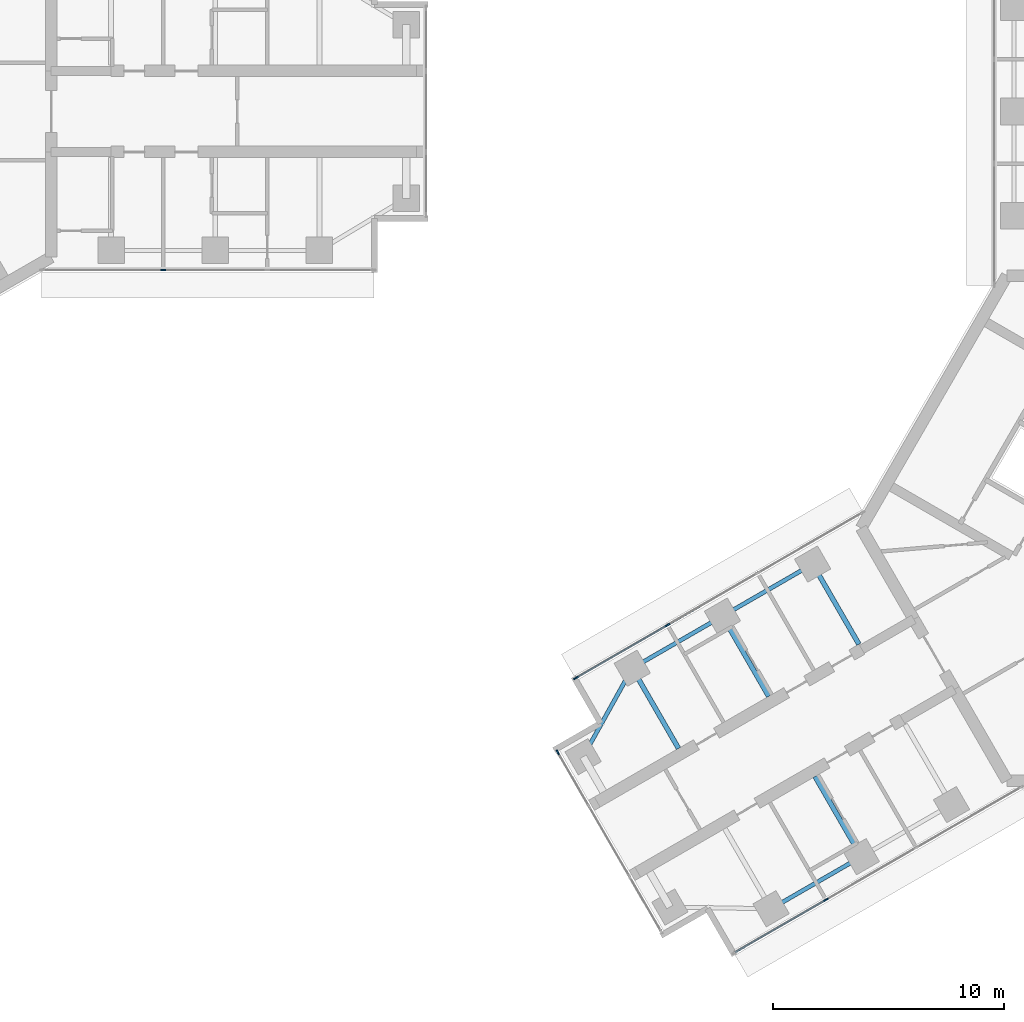
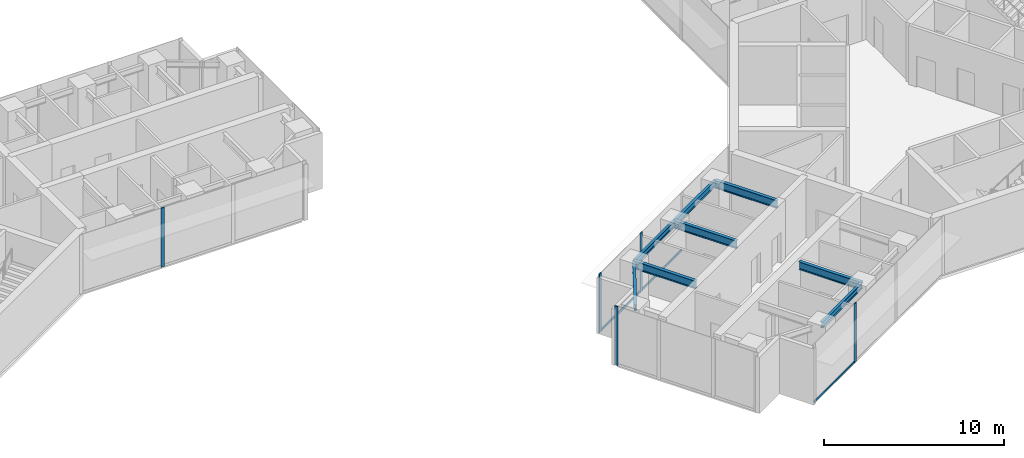
# One storey, part 3 of 17: 8 beams, 8 members, 4 elements without a shape of their own.
"""IFC4 building model written with IfcOpenShell, lengths in metres."""

from ifc_helpers import new_model, si_unit, direction, frame, origin, origin_2d, place, context, subcontext, project, spatial, rectangle, i_section, extrude, material, material_profile, profile_set, type_object, element, aggregate, save


model = new_model("IFC4")

# Units and contexts
model_context = context("Model", 3, precision=1e-05, world=origin(), true_north=direction((0.0, 1.0)))
body_context = subcontext(model_context, "Body", "Model", "MODEL_VIEW")
ifc_project = project(units=[si_unit("LENGTHUNIT", "METRE"), si_unit("AREAUNIT", "SQUARE_METRE"), si_unit("VOLUMEUNIT", "CUBIC_METRE"), si_unit("PLANEANGLEUNIT", "RADIAN"), si_unit("MASSUNIT", "GRAM", prefix="KILO")], contexts=[model_context])

# Site, building, storey
site_placement = place(None, origin())
site = spatial("IfcSite", under=ifc_project, at=site_placement, CompositionType="ELEMENT")
building_placement = place(site_placement, origin())
building = spatial("IfcBuilding", under=site, at=building_placement, Name="Upepo Twin Towers", CompositionType="ELEMENT")
storey_placement = place(building_placement, frame((0.0, 0.0, 210.5)))
storey = spatial("IfcBuildingStorey", under=building, at=storey_placement, Name="L51", CompositionType="ELEMENT", Elevation=210.5)

# Beams
ifc_material_1 = material(Name="Steel S355", Category="steel")
ifc_material_profile_1 = material_profile(ifc_material_1, i_section(OverallWidth=0.177978515625, OverallDepth=0.406494140625, WebThickness=0.0078125, FlangeThickness=0.0126953125, FilletRadius=0.01025390625, at=origin_2d()), Name="UB 406x178x60")
ifc_profile_set_1 = profile_set([ifc_material_profile_1], Name="Steel S355")
beam_type_1 = type_object("IfcBeamType", Name="Beam UB 406x178x60", PredefinedType="BEAM", material=ifc_profile_set_1)
beam_1_placement = place(storey_placement, frame((45.91162109375, -32.196044921875, 3.5966796875), z_axis=(-0.866031096941, -0.499990139034, 0.0), x_axis=(0.499990139034, -0.866031096941, 0.0)))
element("IfcBeam", 1, at=beam_1_placement, inside=storey, type_object=beam_type_1, Name="T2 edge beam BL 18.0-22.5", PredefinedType="BEAM", context=body_context, shape_type="SweptSolid", body=[
    extrude(i_section(OverallWidth=0.177978515625, OverallDepth=0.406494140625, WebThickness=0.0078125, FlangeThickness=0.0126953125, FilletRadius=0.01025390625, at=origin_2d()), origin(), (0.0, 0.0, 1.0), 4.5),
])
beam_2_placement = place(storey_placement, frame((43.80859375, -19.553955078125, 3.5966796875), z_axis=(-0.866017533419, -0.500013631625, 0.0), x_axis=(0.500013631625, -0.866017533419, 0.0)))
element("IfcBeam", 2, at=beam_2_placement, inside=storey, type_object=beam_type_1, Name="T2 edge beam BR 13.5-18.0", PredefinedType="BEAM", context=body_context, shape_type="SweptSolid", body=[
    extrude(i_section(OverallWidth=0.177978515625, OverallDepth=0.406494140625, WebThickness=0.0078125, FlangeThickness=0.0126953125, FilletRadius=0.01025390625, at=origin_2d()), origin(), (0.0, 0.0, 1.0), 4.499755859375),
])
beam_3_placement = place(storey_placement, frame((39.91162109375, -21.803955078125, 3.5966796875), z_axis=(-0.866031096941, -0.499990139034, 0.0), x_axis=(0.499990139034, -0.866031096941, 0.0)))
element("IfcBeam", 3, at=beam_3_placement, inside=storey, type_object=beam_type_1, Name="T2 edge beam BR 18.0-22.5", PredefinedType="BEAM", context=body_context, shape_type="SweptSolid", body=[
    extrude(i_section(OverallWidth=0.177978515625, OverallDepth=0.406494140625, WebThickness=0.0078125, FlangeThickness=0.0126953125, FilletRadius=0.01025390625, at=origin_2d()), origin(), (0.0, 0.0, 1.0), 4.5),
])
beam_4_placement = place(storey_placement, frame((36.014404296875, -24.053955078125, 3.5966796875), z_axis=(-0.485363242752, -0.874312600038, 0.0), x_axis=(0.874312600038, -0.485363242752, 0.0)))
element("IfcBeam", 4, at=beam_4_placement, inside=storey, type_object=beam_type_1, Name="T2 nose edge beam BR", PredefinedType="BEAM", context=body_context, shape_type="SweptSolid", body=[
    extrude(i_section(OverallWidth=0.177978515625, OverallDepth=0.406494140625, WebThickness=0.0078125, FlangeThickness=0.0126953125, FilletRadius=0.01025390625, at=origin_2d()), origin(), (0.0, 0.0, 1.0), 4.373046875),
])
ifc_material_2 = material(Name="Steel S355", Category="steel")
ifc_material_profile_2 = material_profile(ifc_material_2, i_section(OverallWidth=0.209228515625, OverallDepth=0.533203125, WebThickness=0.010009765625, FlangeThickness=0.015625, FilletRadius=0.0126953125, at=origin_2d()), Name="UB 533x210x92")
ifc_profile_set_2 = profile_set([ifc_material_profile_2], Name="Steel S355")
beam_type_2 = type_object("IfcBeamType", Name="Beam UB 533x210x92", PredefinedType="BEAM", material=ifc_profile_set_2)
for number, where, z_axis, x_axis, name in (
    (5, (45.91162109375, -32.196044921875, 3.533447265625), (-0.49999894854, 0.866026010844, 0.0), (-0.866026010844, -0.49999894854, 0.0), "T2 girder BL at 18.0"),
    (6, (43.80859375, -19.553955078125, 3.533447265625), (0.49999894854, -0.866026010844, 0.0), (0.866026010844, 0.49999894854, 0.0), "T2 girder BR at 13.5"),
    (7, (39.91162109375, -21.803955078125, 3.533447265625), (0.49999894854, -0.866026010844, 0.0), (0.866026010844, 0.49999894854, 0.0), "T2 girder BR at 18.0"),
    (8, (36.014404296875, -24.053955078125, 3.533447265625), (0.49999894854, -0.866026010844, 0.0), (0.866026010844, 0.49999894854, 0.0), "T2 girder BR at 22.5"),
):
    element("IfcBeam", number, at=place(storey_placement, frame(where, z_axis=z_axis, x_axis=x_axis)), inside=storey, type_object=beam_type_2, Name=name, PredefinedType="BEAM", context=body_context, shape_type="SweptSolid", body=[
        extrude(i_section(OverallWidth=0.209228515625, OverallDepth=0.533203125, WebThickness=0.010009765625, FlangeThickness=0.015625, FilletRadius=0.0126953125, at=origin_2d()), origin(), (0.0, 0.0, 1.0), 4.0),
    ])

# Curtain wall, member
ifc_material_3 = material(Name="Aluminium and fritted glass", Category="aluminium")
curtain_wall_type = type_object("IfcCurtainWallType", Name="Tower curtain wall TW3, fritted glass", PredefinedType="NOTDEFINED", material=ifc_material_3)
curtain_wall_1_placement = place(storey_placement, origin())
curtain_wall_1 = element("IfcCurtainWall", 9, at=curtain_wall_1_placement, inside=storey, type_object=curtain_wall_type, Name="T1 L51 wing A flank R curtain wall", PredefinedType="NOTDEFINED")
ifc_material_4 = material(Name="Aluminium mullion", Category="aluminium")
ifc_material_profile_3 = material_profile(ifc_material_4, rectangle(XDim=0.06494140625, YDim=0.22509765625, at=origin_2d()), Name="MULLION 65x225")
ifc_profile_set_3 = profile_set([ifc_material_profile_3], Name="Aluminium mullion")
member_type_1 = type_object("IfcMemberType", Name="Mullion 65x225 TW3", PredefinedType="MULLION", material=ifc_profile_set_3)
member_1_placement = place(storey_placement, frame((15.75, -6.85009765625, 0.0), z_axis=(0.0, 0.0, 1.0), x_axis=(0.0, -1.0, 0.0)))
member_1 = element("IfcMember", 10, at=member_1_placement, type_object=member_type_1, Name="T1 L51 wing A flank R curtain wall mullion 3", PredefinedType="MULLION", context=body_context, shape_type="SweptSolid", body=[
    extrude(rectangle(XDim=0.06494140625, YDim=0.22509765625, at=origin_2d()), origin(), (0.0, 0.0, 1.0), 4.0),
])
aggregate(curtain_wall_1, [member_1])

curtain_wall_2_placement = place(storey_placement, origin())
curtain_wall_2 = element("IfcCurtainWall", 11, at=curtain_wall_2_placement, inside=storey, type_object=curtain_wall_type, Name="T2 L51 wing B flank L curtain wall", PredefinedType="NOTDEFINED")
member_2_placement = place(storey_placement, frame((44.387939453125, -34.057373046875, 0.0), z_axis=(0.0, 0.0, 1.0), x_axis=(0.500000026527, -0.866025388469, 0.0)))
member_2 = element("IfcMember", 12, at=member_2_placement, type_object=member_type_1, Name="T2 L51 wing B flank L curtain wall mullion 3", PredefinedType="MULLION", context=body_context, shape_type="SweptSolid", body=[
    extrude(rectangle(XDim=0.06494140625, YDim=0.22509765625, at=origin_2d()), origin(), (0.0, 0.0, 1.0), 4.0),
])

# Curtain wall, members
curtain_wall_3_placement = place(storey_placement, origin())
curtain_wall_3 = element("IfcCurtainWall", 13, at=curtain_wall_3_placement, inside=storey, type_object=curtain_wall_type, Name="T2 L51 wing B flank R curtain wall", PredefinedType="NOTDEFINED")
member_3_placement = place(storey_placement, frame((33.58251953125, -24.4765625, 0.0), z_axis=(0.0, 0.0, 1.0), x_axis=(-0.500000026527, 0.866025388469, 0.0)))
member_3 = element("IfcMember", 14, at=member_3_placement, type_object=member_type_1, Name="T2 L51 wing B flank R curtain wall mullion 1", PredefinedType="MULLION", context=body_context, shape_type="SweptSolid", body=[
    extrude(rectangle(XDim=0.06494140625, YDim=0.22509765625, at=origin_2d()), origin(), (0.0, 0.0, 1.0), 4.0),
])
member_4_placement = place(storey_placement, frame((37.5380859375, -22.192626953125, 0.0), z_axis=(0.0, 0.0, 1.0), x_axis=(-0.500000026527, 0.866025388469, 0.0)))
member_4 = element("IfcMember", 15, at=member_4_placement, type_object=member_type_1, Name="T2 L51 wing B flank R curtain wall mullion 2", PredefinedType="MULLION", context=body_context, shape_type="SweptSolid", body=[
    extrude(rectangle(XDim=0.06494140625, YDim=0.22509765625, at=origin_2d()), origin(), (0.0, 0.0, 1.0), 4.0),
])

# Curtain wall, member
curtain_wall_4_placement = place(storey_placement, origin())
curtain_wall_4 = element("IfcCurtainWall", 16, at=curtain_wall_4_placement, inside=storey, type_object=curtain_wall_type, Name="T2 L51 wing B nose curtain wall", PredefinedType="NOTDEFINED")
member_5_placement = place(storey_placement, frame((32.796875, -27.68115234375, 0.0), z_axis=(0.0, 0.0, 1.0), x_axis=(0.866025386174, 0.500000030502, 0.0)))
member_5 = element("IfcMember", 17, at=member_5_placement, type_object=member_type_1, Name="T2 L51 wing B nose curtain wall mullion 1", PredefinedType="MULLION", context=body_context, shape_type="SweptSolid", body=[
    extrude(rectangle(XDim=0.06494140625, YDim=0.22509765625, at=origin_2d()), origin(), (0.0, 0.0, 1.0), 4.0),
])
aggregate(curtain_wall_4, [member_5])

# Member
ifc_material_5 = material(Name="Aluminium transom", Category="aluminium")
ifc_material_profile_4 = material_profile(ifc_material_5, rectangle(XDim=0.06494140625, YDim=0.14990234375, at=origin_2d()), Name="TRANSOM 65x150")
ifc_profile_set_4 = profile_set([ifc_material_profile_4], Name="Aluminium transom")
member_type_2 = type_object("IfcMemberType", Name="Transom 65x150 TW3", PredefinedType="USERDEFINED", material=ifc_profile_set_4)
member_6_placement = place(storey_placement, frame((44.35986328125, -34.073486328125, 0.074951171875), z_axis=(-0.866035699072, -0.499982167615, 0.0), x_axis=(0.499982167615, -0.866035699072, 0.0)))
member_6 = element("IfcMember", 18, at=member_6_placement, type_object=member_type_2, Name="T2 L51 wing B flank L curtain wall transom 3", ObjectType="TRANSOM", PredefinedType="USERDEFINED", context=body_context, shape_type="SweptSolid", body=[
    extrude(rectangle(XDim=0.06494140625, YDim=0.14990234375, at=origin_2d()), origin(), (0.0, 0.0, 1.0), 4.502685546875),
])

aggregate(curtain_wall_2, [member_2, member_6])

member_7_placement = place(storey_placement, frame((33.610595703125, -24.460205078125, 0.074951171875), z_axis=(0.866022143554, 0.500005646842, 0.0), x_axis=(-0.500005646842, 0.866022143554, 0.0)))
member_7 = element("IfcMember", 19, at=member_7_placement, type_object=member_type_2, Name="T2 L51 wing B flank R curtain wall transom 1", ObjectType="TRANSOM", PredefinedType="USERDEFINED", context=body_context, shape_type="SweptSolid", body=[
    extrude(rectangle(XDim=0.06494140625, YDim=0.14990234375, at=origin_2d()), origin(), (0.0, 0.0, 1.0), 4.50244140625),
])

member_8_placement = place(storey_placement, frame((37.566162109375, -22.176513671875, 0.074951171875), z_axis=(0.866022410713, 0.500005184116, 0.0), x_axis=(-0.500005184116, 0.866022410713, 0.0)))
member_8 = element("IfcMember", 20, at=member_8_placement, type_object=member_type_2, Name="T2 L51 wing B flank R curtain wall transom 2", ObjectType="TRANSOM", PredefinedType="USERDEFINED", context=body_context, shape_type="SweptSolid", body=[
    extrude(rectangle(XDim=0.06494140625, YDim=0.14990234375, at=origin_2d()), origin(), (0.0, 0.0, 1.0), 4.43505859375),
])

aggregate(curtain_wall_3, [member_3, member_4, member_7, member_8])

save(model, "model.ifc")
